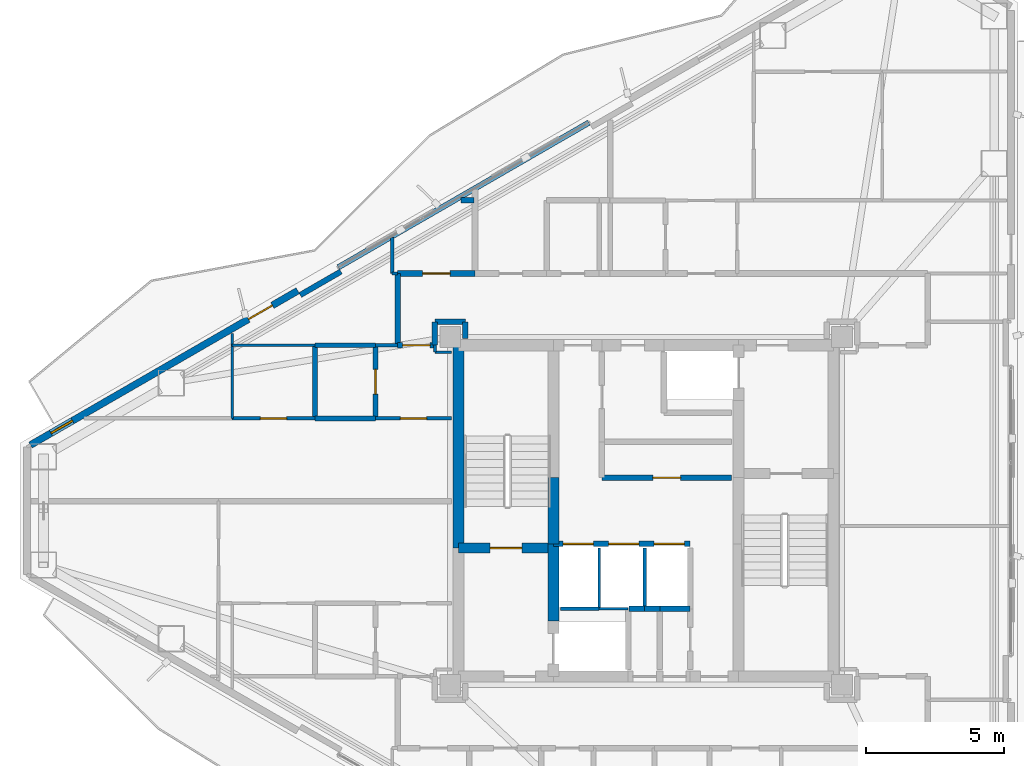
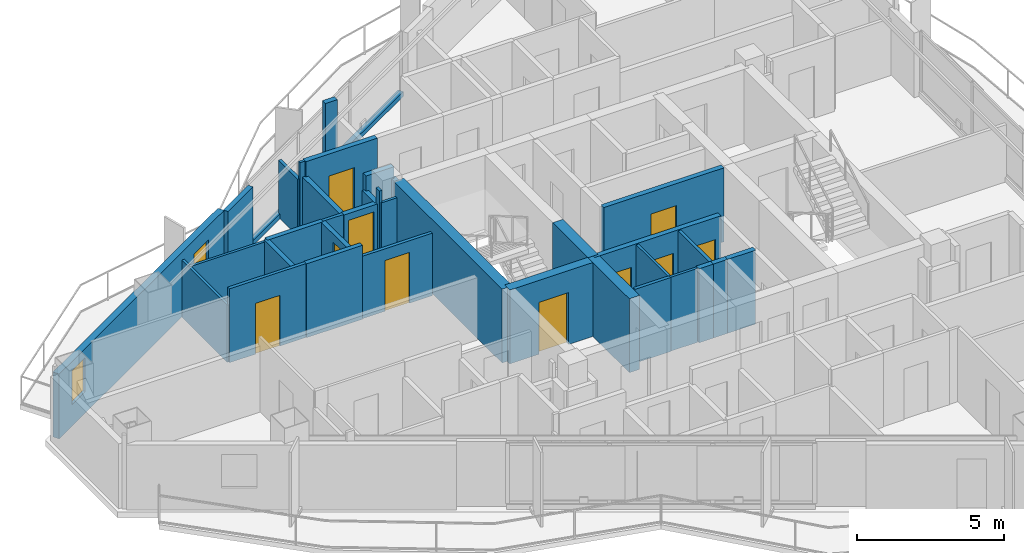
# One storey, part 14 of 19: 36 walls, 11 doors, 1 window, 12 openings.
"""IFC4 building model written with IfcOpenShell, lengths in metres."""

from ifc_helpers import new_model, si_unit, direction, frame, frame_2d, origin, place, context, subcontext, project, spatial, rectangle, extrude, material, layer, layer_set, type_object, element, fill, save


model = new_model("IFC4")

# Units and contexts
model_context = context("Model", 3, precision=1e-05, world=origin(), true_north=direction((0.0, 1.0)))
body_context = subcontext(model_context, "Body", "Model", "MODEL_VIEW")
ifc_project = project(units=[si_unit("LENGTHUNIT", "METRE"), si_unit("AREAUNIT", "SQUARE_METRE"), si_unit("VOLUMEUNIT", "CUBIC_METRE"), si_unit("PLANEANGLEUNIT", "RADIAN"), si_unit("MASSUNIT", "GRAM", prefix="KILO")], contexts=[model_context])

# Site, building, storey
site_placement = place(None, origin())
site = spatial("IfcSite", under=ifc_project, at=site_placement, CompositionType="ELEMENT")
building_placement = place(site_placement, origin())
building = spatial("IfcBuilding", under=site, at=building_placement, Name="Mersakhor Tower and Convention Hall", CompositionType="ELEMENT")
storey_placement = place(building_placement, frame((0.0, 0.0, 144.300048828125)))
storey = spatial("IfcBuildingStorey", under=building, at=storey_placement, Name="L40", CompositionType="ELEMENT", Elevation=144.300048828125)

# Wall, openings, door, window
ifc_material_1 = material(Name="Precast concrete C40/50", Category="concrete")
ifc_layer_1 = layer(ifc_material_1, 0.25)
ifc_layer_set_1 = layer_set([ifc_layer_1], Name="Precast concrete C40/50")
wall_type_1 = type_object("IfcWallType", Name="WL-EXT-250", PredefinedType="SOLIDWALL", material=ifc_layer_set_1)
wall_1_placement = place(storey_placement, frame((6.690185546875, 29.1337890625, 0.0), z_axis=(0.0, 0.0, 1.0), x_axis=(0.866027848477, 0.499995765644, 0.0)))
wall_1 = element("IfcWall", 1, at=wall_1_placement, inside=storey, type_object=wall_type_1, Name="L40 Exterior Facade Wall F1-B1", PredefinedType="SOLIDWALL", context=body_context, shape_type="SweptSolid", body=[
    extrude(rectangle(XDim=11.18603515625, YDim=0.25, at=frame_2d((5.593017578125, 0.0))), origin(), (0.0, 0.0, 1.0), 2.679931640625),
])
opening_1_placement = place(wall_1_placement, frame((9.1220703125, 0.0, 0.0)))
opening_1 = element("IfcOpeningElement", 2, at=opening_1_placement, cuts=wall_1, Name="Opening BD-01", PredefinedType="OPENING", context=body_context, shape_type="SweptSolid", body=[
    extrude(rectangle(XDim=1.0, YDim=2.10009765625, at=frame_2d((0.5, 1.050048828125))), frame((0.0, 0.135009765625, 0.0), z_axis=(0.0, -1.0, 0.0), x_axis=(1.0, 0.0, 0.0)), (0.0, 0.0, 1.0), 0.27001953125),
])
opening_2_placement = place(wall_1_placement, frame((0.860107421875, 0.0, 0.89990234375)))
opening_2 = element("IfcOpeningElement", 3, at=opening_2_placement, cuts=wall_1, Name="Opening W-06", PredefinedType="OPENING", context=body_context, shape_type="SweptSolid", body=[
    extrude(rectangle(XDim=0.89990234375, YDim=1.39990234375, at=frame_2d((0.449951171875, 0.699951171875))), frame((0.0, 0.135009765625, 0.0), z_axis=(0.0, -1.0, 0.0), x_axis=(1.0, 0.0, 0.0)), (0.0, 0.0, 1.0), 0.27001953125),
])
ifc_material_2 = material(Name="Thermally broken dark aluminium and safety glass", Category="aluminium")
door_type_1 = type_object("IfcDoorType", Name="DR-BAL-100x210", OperationType="NOTDEFINED", PredefinedType="DOOR", material=ifc_material_2)
door_1_placement = place(opening_1_placement, origin())
door_1 = element("IfcDoor", 4, at=door_1_placement, inside=storey, type_object=door_type_1, Name="L40 Balcony Terrace Door F1-B1", OperationType="SINGLE_SWING_LEFT", OverallHeight=2.10009765625, OverallWidth=1.0, PredefinedType="DOOR", context=body_context, shape_type="SweptSolid", body=[
    extrude(rectangle(XDim=1.0, YDim=2.10009765625, at=frame_2d((0.5, 1.050048828125))), frame((0.0, 0.02490234375, 0.0), z_axis=(0.0, -1.0, 0.0), x_axis=(1.0, 0.0, 0.0)), (0.0, 0.0, 1.0), 0.050048828125),
])
fill(opening_1, door_1)
ifc_material_3 = material(Name="Dark solar low-E glazed aluminium window", Category="aluminium")
window_type = type_object("IfcWindowType", Name="WN-STD-090x140", PartitioningType="SINGLE_PANEL", PredefinedType="WINDOW", material=ifc_material_3)
window_placement = place(opening_2_placement, origin())
window = element("IfcWindow", 5, at=window_placement, inside=storey, type_object=window_type, Name="L40 Bedroom Facade Window F1-B1-1", OverallHeight=1.39990234375, OverallWidth=0.89990234375, PartitioningType="SINGLE_PANEL", PredefinedType="WINDOW", context=body_context, shape_type="SweptSolid", body=[
    extrude(rectangle(XDim=0.89990234375, YDim=1.39990234375, at=frame_2d((0.449951171875, 0.699951171875))), frame((0.0, 0.030029296875, 0.0), z_axis=(0.0, -1.0, 0.0), x_axis=(1.0, 0.0, 0.0)), (0.0, 0.0, 1.0), 0.06005859375),
])
fill(opening_2, window)

# Walls
ifc_material_4 = material(Name="Precast concrete C40/50", Category="concrete")
ifc_layer_2 = layer(ifc_material_4, 0.199951171875)
ifc_layer_set_2 = layer_set([ifc_layer_2], Name="Precast concrete C40/50")
wall_type_2 = type_object("IfcWallType", Name="WL-PAR-200", PredefinedType="PARAPET", material=ifc_layer_set_2)
wall_2_placement = place(storey_placement, frame((17.849853515625, 35.57666015625, 0.0), z_axis=(0.0, 0.0, 1.0), x_axis=(0.866026619769, 0.499997893847, 0.0)))
element("IfcWall", 6, at=wall_2_placement, inside=storey, type_object=wall_type_2, Name="L40 Curtain Wall Upstand Sill F1-B2", PredefinedType="PARAPET", context=body_context, shape_type="SweptSolid", body=[
    extrude(rectangle(XDim=10.48583984375, YDim=0.199951171875, at=frame_2d((5.242919921875, 0.0))), origin(), (0.0, 0.0, 1.0), 0.199951171875),
])
wall_3_placement = place(storey_placement, frame((16.467529296875, 34.57080078125, 0.0), z_axis=(0.0, 0.0, 1.0), x_axis=(0.865989465428, 0.500062241894, 0.0)))
element("IfcWall", 7, at=wall_3_placement, inside=storey, type_object=wall_type_2, Name="L40 Column Pier Cladding Wall F1-C1", PredefinedType="PARAPET", context=body_context, shape_type="SweptSolid", body=[
    extrude(rectangle(XDim=1.699951171875, YDim=0.199951171875, at=frame_2d((0.85009765625, 0.0))), origin(), (0.0, 0.0, 1.0), 2.679931640625),
])

# Wall, opening, door
ifc_material_5 = material(Name="Moisture-resistant acoustic drywall studwork", Category="other")
ifc_layer_3 = layer(ifc_material_5, 0.175048828125)
ifc_layer_set_3 = layer_set([ifc_layer_3], Name="Moisture-resistant acoustic drywall studwork")
wall_type_3 = type_object("IfcWallType", Name="WL-PLM-175", PredefinedType="PLUMBINGWALL", material=ifc_layer_set_3)
wall_4_placement = place(storey_placement, frame((19.199951171875, 30.10009765625, 0.0), z_axis=(0.0, 0.0, 1.0), x_axis=(0.0, 1.0, 0.0)))
wall_4 = element("IfcWall", 8, at=wall_4_placement, inside=storey, type_object=wall_type_3, Name="L40 Interior Partition Wall P-060", PredefinedType="PLUMBINGWALL", context=body_context, shape_type="SweptSolid", body=[
    extrude(rectangle(XDim=2.64990234375, YDim=0.175048828125, at=frame_2d((1.324951171875, 0.0))), origin(), (0.0, 0.0, 1.0), 2.432861328125),
])
opening_3_placement = place(wall_4_placement, frame((0.875, 0.0, 0.0)))
opening_3 = element("IfcOpeningElement", 9, at=opening_3_placement, cuts=wall_4, Name="Opening WD-01", PredefinedType="OPENING", context=body_context, shape_type="SweptSolid", body=[
    extrude(rectangle(XDim=0.89990234375, YDim=2.10009765625, at=frame_2d((0.449951171875, 1.050048828125))), frame((0.0, 0.097412109375, 0.0), z_axis=(0.0, -1.0, 0.0), x_axis=(1.0, 0.0, 0.0)), (0.0, 0.0, 1.0), 0.195068359375),
])
ifc_material_6 = material(Name="Solid-core hardwood leaf in painted steel frame", Category="steel")
door_type_2 = type_object("IfcDoorType", Name="DR-INT-WET-090x210", OperationType="NOTDEFINED", PredefinedType="DOOR", material=ifc_material_6)
door_2_placement = place(opening_3_placement, origin())
door_2 = element("IfcDoor", 10, at=door_2_placement, inside=storey, type_object=door_type_2, Name="L40 L40 Flat W5 Apartment Hall to L40 Flat W5 Bathroom Door", OperationType="SINGLE_SWING_RIGHT", OverallHeight=2.10009765625, OverallWidth=0.89990234375, PredefinedType="DOOR", context=body_context, shape_type="SweptSolid", body=[
    extrude(rectangle(XDim=0.89990234375, YDim=2.10009765625, at=frame_2d((0.449951171875, 1.050048828125))), frame((0.0, 0.02490234375, 0.0), z_axis=(0.0, -1.0, 0.0), x_axis=(1.0, 0.0, 0.0)), (0.0, 0.0, 1.0), 0.050048828125),
])
fill(opening_3, door_2)

# Walls
wall_5_placement = place(storey_placement, frame((17.0, 32.75, 0.0), z_axis=(0.0, 0.0, 1.0), x_axis=(1.0, 0.0, 0.0)))
element("IfcWall", 11, at=wall_5_placement, inside=storey, type_object=wall_type_3, Name="L40 Interior Partition Wall P-085", PredefinedType="PLUMBINGWALL", context=body_context, shape_type="SweptSolid", body=[
    extrude(rectangle(XDim=2.199951171875, YDim=0.175048828125, at=frame_2d((1.10009765625, 0.0))), origin(), (0.0, 0.0, 1.0), 2.432861328125),
])
wall_6_placement = place(storey_placement, frame((19.199951171875, 30.10009765625, 0.0), z_axis=(0.0, 0.0, 1.0), x_axis=(-1.0, 0.0, 0.0)))
element("IfcWall", 12, at=wall_6_placement, inside=storey, type_object=wall_type_3, Name="L40 Interior Partition Wall P-086", PredefinedType="PLUMBINGWALL", context=body_context, shape_type="SweptSolid", body=[
    extrude(rectangle(XDim=2.199951171875, YDim=0.175048828125, at=frame_2d((1.10009765625, 0.0))), origin(), (0.0, 0.0, 1.0), 3.06005859375),
])
wall_7_placement = place(storey_placement, frame((17.0, 30.10009765625, 0.0), z_axis=(0.0, 0.0, 1.0), x_axis=(0.0, 1.0, 0.0)))
element("IfcWall", 13, at=wall_7_placement, inside=storey, type_object=wall_type_3, Name="L40 Interior Partition Wall P-087", PredefinedType="PLUMBINGWALL", context=body_context, shape_type="SweptSolid", body=[
    extrude(rectangle(XDim=2.64990234375, YDim=0.175048828125, at=frame_2d((1.324951171875, 0.0))), origin(), (0.0, 0.0, 1.0), 2.432861328125),
])
ifc_material_7 = material(Name="Lightweight gypsum partition", Category="other")
ifc_layer_4 = layer(ifc_material_7, 0.10009765625)
ifc_layer_set_4 = layer_set([ifc_layer_4], Name="Lightweight gypsum partition")
wall_type_4 = type_object("IfcWallType", Name="WL-PRT-100", PredefinedType="PARTITIONING", material=ifc_layer_set_4)
wall_8_placement = place(storey_placement, frame((27.300048828125, 23.199951171875, 0.0), z_axis=(0.0, 0.0, 1.0), x_axis=(1.0, 0.0, 0.0)))
element("IfcWall", 14, at=wall_8_placement, inside=storey, type_object=wall_type_4, Name="L40 Interior Partition Wall P-002", PredefinedType="PARTITIONING", context=body_context, shape_type="SweptSolid", body=[
    extrude(rectangle(XDim=1.050048828125, YDim=0.10009765625, at=frame_2d((0.52490234375, 0.0))), origin(), (0.0, 0.0, 1.0), 3.06005859375),
])
wall_9_placement = place(storey_placement, frame((27.300048828125, 25.39990234375, 0.0), z_axis=(0.0, 0.0, 1.0), x_axis=(0.0, -1.0, 0.0)))
element("IfcWall", 15, at=wall_9_placement, inside=storey, type_object=wall_type_4, Name="L40 Interior Partition Wall P-006", PredefinedType="PARTITIONING", context=body_context, shape_type="SweptSolid", body=[
    extrude(rectangle(XDim=2.199951171875, YDim=0.10009765625, at=frame_2d((1.10009765625, 0.0))), origin(), (0.0, 0.0, 1.0), 3.06005859375),
])
wall_10_placement = place(storey_placement, frame((21.35009765625, 32.5, 0.0), z_axis=(0.0, 0.0, 1.0), x_axis=(1.0, 0.0, 0.0)))
element("IfcWall", 16, at=wall_10_placement, inside=storey, type_object=wall_type_4, Name="L40 Interior Partition Wall P-058", PredefinedType="PARTITIONING", context=body_context, shape_type="SweptSolid", body=[
    extrude(rectangle(XDim=0.599853515625, YDim=0.10009765625, at=frame_2d((0.2998046875, 0.0))), origin(), (0.0, 0.0, 1.0), 2.5849609375),
])
wall_11_placement = place(storey_placement, frame((21.35009765625, 32.75, 0.0), z_axis=(0.0, 0.0, 1.0), x_axis=(0.0, -1.0, 0.0)))
element("IfcWall", 17, at=wall_11_placement, inside=storey, type_object=wall_type_4, Name="L40 Interior Partition Wall P-062", PredefinedType="PARTITIONING", context=body_context, shape_type="SweptSolid", body=[
    extrude(rectangle(XDim=0.25, YDim=0.10009765625, at=frame_2d((0.125, 0.0))), origin(), (0.0, 0.0, 1.0), 3.06005859375),
])
wall_12_placement = place(storey_placement, frame((14.0, 32.75, 0.0), z_axis=(0.0, 0.0, 1.0), x_axis=(1.0, 0.0, 0.0)))
element("IfcWall", 18, at=wall_12_placement, inside=storey, type_object=wall_type_4, Name="L40 Interior Partition Wall P-088", PredefinedType="PARTITIONING", context=body_context, shape_type="SweptSolid", body=[
    extrude(rectangle(XDim=3.0, YDim=0.10009765625, at=frame_2d((1.5, 0.0))), origin(), (0.0, 0.0, 1.0), 2.364990234375),
])
wall_13_placement = place(storey_placement, frame((14.0, 30.10009765625, 0.0), z_axis=(0.0, 0.0, 1.0), x_axis=(0.0, 1.0, 0.0)))
element("IfcWall", 19, at=wall_13_placement, inside=storey, type_object=wall_type_4, Name="L40 Interior Partition Wall P-090", PredefinedType="PARTITIONING", context=body_context, shape_type="SweptSolid", body=[
    extrude(rectangle(XDim=3.081787109375, YDim=0.10009765625, at=frame_2d((1.541015625, 0.0))), origin(), (0.0, 0.0, 1.0), 2.364990234375),
])
wall_14_placement = place(storey_placement, frame((20.0, 35.35009765625, 0.0), z_axis=(0.0, 0.0, 1.0), x_axis=(-1.0, 0.0, 0.0)))
element("IfcWall", 20, at=wall_14_placement, inside=storey, type_object=wall_type_4, Name="L40 Interior Partition Wall P-112", PredefinedType="PARTITIONING", context=body_context, shape_type="SweptSolid", body=[
    extrude(rectangle(XDim=0.199951171875, YDim=0.10009765625, at=frame_2d((0.10009765625, 0.0))), origin(), (0.0, 0.0, 1.0), 3.06005859375),
])
ifc_material_8 = material(Name="Gypsum board acoustic partition", Category="other")
ifc_layer_5 = layer(ifc_material_8, 0.125)
ifc_layer_set_5 = layer_set([ifc_layer_5], Name="Gypsum board acoustic partition")
wall_type_5 = type_object("IfcWallType", Name="WL-PRT-125", PredefinedType="PARTITIONING", material=ifc_layer_set_5)
wall_15_placement = place(storey_placement, frame((25.89990234375, 23.199951171875, 0.0), z_axis=(0.0, 0.0, 1.0), x_axis=(1.0, 0.0, 0.0)))
element("IfcWall", 21, at=wall_15_placement, inside=storey, type_object=wall_type_5, Name="L40 Interior Partition Wall P-001", PredefinedType="PARTITIONING", context=body_context, shape_type="SweptSolid", body=[
    extrude(rectangle(XDim=1.400146484375, YDim=0.125, at=frame_2d((0.7001953125, 0.0))), origin(), (0.0, 0.0, 1.0), 3.06005859375),
])
wall_16_placement = place(storey_placement, frame((28.949951171875, 25.39990234375, 0.0), z_axis=(0.0, 0.0, 1.0), x_axis=(0.0, -1.0, 0.0)))
element("IfcWall", 22, at=wall_16_placement, inside=storey, type_object=wall_type_5, Name="L40 Interior Partition Wall P-007", PredefinedType="PARTITIONING", context=body_context, shape_type="SweptSolid", body=[
    extrude(rectangle(XDim=2.199951171875, YDim=0.125, at=frame_2d((1.10009765625, 0.0))), origin(), (0.0, 0.0, 1.0), 3.06005859375),
])

# Wall, opening, door
wall_17_placement = place(storey_placement, frame((21.949951171875, 30.10009765625, 0.0), z_axis=(0.0, 0.0, 1.0), x_axis=(-1.0, 0.0, 0.0)))
wall_17 = element("IfcWall", 23, at=wall_17_placement, inside=storey, type_object=wall_type_5, Name="L40 Interior Partition Wall P-059", PredefinedType="PARTITIONING", context=body_context, shape_type="SweptSolid", body=[
    extrude(rectangle(XDim=2.75, YDim=0.125, at=frame_2d((1.375, 0.0))), origin(), (0.0, 0.0, 1.0), 2.5849609375),
])
opening_4_placement = place(wall_17_placement, frame((0.89990234375, 0.0, 0.0)))
opening_4 = element("IfcOpeningElement", 24, at=opening_4_placement, cuts=wall_17, Name="Opening RD-01", PredefinedType="OPENING", context=body_context, shape_type="SweptSolid", body=[
    extrude(rectangle(XDim=0.949951171875, YDim=2.10009765625, at=frame_2d((0.47509765625, 1.050048828125))), frame((0.0, 0.072509765625, 0.0), z_axis=(0.0, -1.0, 0.0), x_axis=(1.0, 0.0, 0.0)), (0.0, 0.0, 1.0), 0.14501953125),
])
ifc_material_9 = material(Name="Solid-core hardwood leaf in painted steel frame", Category="steel")
door_type_3 = type_object("IfcDoorType", Name="DR-INT-RM-095x210", OperationType="NOTDEFINED", PredefinedType="DOOR", material=ifc_material_9)
door_3_placement = place(opening_4_placement, origin())
door_3 = element("IfcDoor", 25, at=door_3_placement, inside=storey, type_object=door_type_3, Name="L40 L40 Flat W5 Apartment Hall to L40 Flat W5 Studio Living and Sleeping Room Door", OperationType="SINGLE_SWING_LEFT", OverallHeight=2.10009765625, OverallWidth=0.949951171875, PredefinedType="DOOR", context=body_context, shape_type="SweptSolid", body=[
    extrude(rectangle(XDim=0.949951171875, YDim=2.10009765625, at=frame_2d((0.47509765625, 1.050048828125))), frame((0.0, 0.02490234375, 0.0), z_axis=(0.0, -1.0, 0.0), x_axis=(1.0, 0.0, 0.0)), (0.0, 0.0, 1.0), 0.050048828125),
])
fill(opening_4, door_3)

# Wall
wall_18_placement = place(storey_placement, frame((19.199951171875, 32.75, 0.0), z_axis=(0.0, 0.0, 1.0), x_axis=(1.0, 0.0, 0.0)))
element("IfcWall", 26, at=wall_18_placement, inside=storey, type_object=wall_type_5, Name="L40 Interior Partition Wall P-061", PredefinedType="PARTITIONING", context=body_context, shape_type="SweptSolid", body=[
    extrude(rectangle(XDim=0.800048828125, YDim=0.125, at=frame_2d((0.39990234375, 0.0))), origin(), (0.0, 0.0, 1.0), 2.432861328125),
])

# Wall, opening, door
wall_19_placement = place(storey_placement, frame((17.0, 30.10009765625, 0.0), z_axis=(0.0, 0.0, 1.0), x_axis=(-1.0, 0.0, 0.0)))
wall_19 = element("IfcWall", 27, at=wall_19_placement, inside=storey, type_object=wall_type_5, Name="L40 Interior Partition Wall P-089", PredefinedType="PARTITIONING", context=body_context, shape_type="SweptSolid", body=[
    extrude(rectangle(XDim=3.0, YDim=0.125, at=frame_2d((1.5, 0.0))), origin(), (0.0, 0.0, 1.0), 3.06005859375),
])
opening_5_placement = place(wall_19_placement, frame((1.02490234375, 0.0, 0.0)))
opening_5 = element("IfcOpeningElement", 28, at=opening_5_placement, cuts=wall_19, Name="Opening RD-01", PredefinedType="OPENING", context=body_context, shape_type="SweptSolid", body=[
    extrude(rectangle(XDim=0.949951171875, YDim=2.10009765625, at=frame_2d((0.47509765625, 1.050048828125))), frame((0.0, 0.072509765625, 0.0), z_axis=(0.0, -1.0, 0.0), x_axis=(1.0, 0.0, 0.0)), (0.0, 0.0, 1.0), 0.14501953125),
])
door_4_placement = place(opening_5_placement, origin())
door_4 = element("IfcDoor", 29, at=door_4_placement, inside=storey, type_object=door_type_3, Name="L40 L40 Flat W5 Kitchen to L40 Flat W5 Studio Living and Sleeping Room Door", OperationType="SINGLE_SWING_LEFT", OverallHeight=2.10009765625, OverallWidth=0.949951171875, PredefinedType="DOOR", context=body_context, shape_type="SweptSolid", body=[
    extrude(rectangle(XDim=0.949951171875, YDim=2.10009765625, at=frame_2d((0.47509765625, 1.050048828125))), frame((0.0, 0.02490234375, 0.0), z_axis=(0.0, -1.0, 0.0), x_axis=(1.0, 0.0, 0.0)), (0.0, 0.0, 1.0), 0.050048828125),
])
fill(opening_5, door_4)

# Wall
wall_20_placement = place(storey_placement, frame((19.800048828125, 35.35009765625, 0.0), z_axis=(0.0, 0.0, 1.0), x_axis=(0.0, 1.0, 0.0)))
element("IfcWall", 30, at=wall_20_placement, inside=storey, type_object=wall_type_5, Name="L40 Interior Partition Wall P-113", PredefinedType="PARTITIONING", context=body_context, shape_type="SweptSolid", body=[
    extrude(rectangle(XDim=1.30859375, YDim=0.125, at=frame_2d((0.654296875, 0.0))), origin(), (0.0, 0.0, 1.0), 2.364990234375),
])

# Wall, openings, doors
ifc_material_10 = material(Name="Acoustic concrete blockwork and gypsum board", Category="masonry")
ifc_layer_6 = layer(ifc_material_10, 0.199951171875)
ifc_layer_set_6 = layer_set([ifc_layer_6], Name="Acoustic concrete blockwork and gypsum board")
wall_type_6 = type_object("IfcWallType", Name="WL-PRT-200", PredefinedType="PARTITIONING", material=ifc_layer_set_6)
wall_21_placement = place(storey_placement, frame((25.64990234375, 25.550048828125, 0.0), z_axis=(0.0, 0.0, 1.0), x_axis=(1.0, 0.0, 0.0)))
wall_21 = element("IfcWall", 31, at=wall_21_placement, inside=storey, type_object=wall_type_6, Name="L40 High-Rise Lift Bank Front Wall", PredefinedType="PARTITIONING", context=body_context, shape_type="SweptSolid", body=[
    extrude(rectangle(XDim=4.9501953125, YDim=0.199951171875, at=frame_2d((2.47509765625, 0.0))), origin(), (0.0, 0.0, 1.0), 3.06005859375),
])
opening_6_placement = place(wall_21_placement, frame((0.340087890625, 0.0, 0.0)))
opening_6 = element("IfcOpeningElement", 32, at=opening_6_placement, cuts=wall_21, Name="Opening LD-P4", PredefinedType="OPENING", context=body_context, shape_type="SweptSolid", body=[
    extrude(rectangle(XDim=1.10009765625, YDim=2.14990234375, at=frame_2d((0.550048828125, 1.074951171875))), frame((0.0, 0.10986328125, 0.0), z_axis=(0.0, -1.0, 0.0), x_axis=(1.0, 0.0, 0.0)), (0.0, 0.0, 1.0), 0.219970703125),
])
opening_7_placement = place(wall_21_placement, frame((1.989990234375, 0.0, 0.0)))
opening_7 = element("IfcOpeningElement", 33, at=opening_7_placement, cuts=wall_21, Name="Opening LD-P5", PredefinedType="OPENING", context=body_context, shape_type="SweptSolid", body=[
    extrude(rectangle(XDim=1.10009765625, YDim=2.14990234375, at=frame_2d((0.550048828125, 1.074951171875))), frame((0.0, 0.10986328125, 0.0), z_axis=(0.0, -1.0, 0.0), x_axis=(1.0, 0.0, 0.0)), (0.0, 0.0, 1.0), 0.219970703125),
])
opening_8_placement = place(wall_21_placement, frame((3.639892578125, 0.0, 0.0)))
opening_8 = element("IfcOpeningElement", 34, at=opening_8_placement, cuts=wall_21, Name="Opening LD-P6", PredefinedType="OPENING", context=body_context, shape_type="SweptSolid", body=[
    extrude(rectangle(XDim=1.10009765625, YDim=2.14990234375, at=frame_2d((0.550048828125, 1.074951171875))), frame((0.0, 0.10986328125, 0.0), z_axis=(0.0, -1.0, 0.0), x_axis=(1.0, 0.0, 0.0)), (0.0, 0.0, 1.0), 0.219970703125),
])
ifc_material_11 = material(Name="Fire-rated brushed stainless steel sliding landing door", Category="steel")
door_type_4 = type_object("IfcDoorType", Name="DR-LIFT-SLD-110x215", OperationType="NOTDEFINED", PredefinedType="DOOR", material=ifc_material_11)
door_5_placement = place(opening_6_placement, origin())
door_5 = element("IfcDoor", 35, at=door_5_placement, inside=storey, type_object=door_type_4, Name="L40 Lift Landing Door LD-P4", OperationType="SLIDING_TO_LEFT", OverallHeight=2.14990234375, OverallWidth=1.10009765625, PredefinedType="DOOR", context=body_context, shape_type="SweptSolid", body=[
    extrude(rectangle(XDim=1.10009765625, YDim=2.14990234375, at=frame_2d((0.550048828125, 1.074951171875))), frame((0.0, 0.02490234375, 0.0), z_axis=(0.0, -1.0, 0.0), x_axis=(1.0, 0.0, 0.0)), (0.0, 0.0, 1.0), 0.050048828125),
])
fill(opening_6, door_5)
door_6_placement = place(opening_7_placement, origin())
door_6 = element("IfcDoor", 36, at=door_6_placement, inside=storey, type_object=door_type_4, Name="L40 Lift Landing Door LD-P5", OperationType="SLIDING_TO_LEFT", OverallHeight=2.14990234375, OverallWidth=1.10009765625, PredefinedType="DOOR", context=body_context, shape_type="SweptSolid", body=[
    extrude(rectangle(XDim=1.10009765625, YDim=2.14990234375, at=frame_2d((0.550048828125, 1.074951171875))), frame((0.0, 0.02490234375, 0.0), z_axis=(0.0, -1.0, 0.0), x_axis=(1.0, 0.0, 0.0)), (0.0, 0.0, 1.0), 0.050048828125),
])
fill(opening_7, door_6)
door_7_placement = place(opening_8_placement, origin())
door_7 = element("IfcDoor", 37, at=door_7_placement, inside=storey, type_object=door_type_4, Name="L40 Lift Landing Door LD-P6", OperationType="SLIDING_TO_LEFT", OverallHeight=2.14990234375, OverallWidth=1.10009765625, PredefinedType="DOOR", context=body_context, shape_type="SweptSolid", body=[
    extrude(rectangle(XDim=1.10009765625, YDim=2.14990234375, at=frame_2d((0.550048828125, 1.074951171875))), frame((0.0, 0.02490234375, 0.0), z_axis=(0.0, -1.0, 0.0), x_axis=(1.0, 0.0, 0.0)), (0.0, 0.0, 1.0), 0.050048828125),
])
fill(opening_8, door_7)

# Walls
wall_22_placement = place(storey_placement, frame((28.949951171875, 23.199951171875, 0.0), z_axis=(0.0, 0.0, 1.0), x_axis=(-1.0, 0.0, 0.0)))
element("IfcWall", 38, at=wall_22_placement, inside=storey, type_object=wall_type_6, Name="L40 Interior Partition Wall P-008", PredefinedType="PARTITIONING", context=body_context, shape_type="SweptSolid", body=[
    extrude(rectangle(XDim=0.570068359375, YDim=0.199951171875, at=frame_2d((0.28515625, 0.0))), origin(), (0.0, 0.0, 1.0), 3.06005859375),
])
wall_23_placement = place(storey_placement, frame((30.60009765625, 23.199951171875, 0.0), z_axis=(0.0, 0.0, 1.0), x_axis=(-1.0, 0.0, 0.0)))
element("IfcWall", 39, at=wall_23_placement, inside=storey, type_object=wall_type_6, Name="L40 Interior Partition Wall P-010", PredefinedType="PARTITIONING", context=body_context, shape_type="SweptSolid", body=[
    extrude(rectangle(XDim=1.10009765625, YDim=0.199951171875, at=frame_2d((0.550048828125, 0.0))), origin(), (0.0, 0.0, 1.0), 3.06005859375),
])
wall_24_placement = place(storey_placement, frame((29.5, 23.199951171875, 0.0), z_axis=(0.0, 0.0, 1.0), x_axis=(-1.0, 0.0, 0.0)))
element("IfcWall", 40, at=wall_24_placement, inside=storey, type_object=wall_type_6, Name="L40 Interior Partition Wall P-011", PredefinedType="PARTITIONING", context=body_context, shape_type="SweptSolid", body=[
    extrude(rectangle(XDim=0.550048828125, YDim=0.199951171875, at=frame_2d((0.27490234375, 0.0))), origin(), (0.0, 0.0, 1.0), 3.06005859375),
])

# Wall, opening, door
wall_25_placement = place(storey_placement, frame((27.39990234375, 27.949951171875, 0.0), z_axis=(0.0, 0.0, 1.0), x_axis=(1.0, 0.0, 0.0)))
wall_25 = element("IfcWall", 41, at=wall_25_placement, inside=storey, type_object=wall_type_6, Name="L40 Interior Partition Wall P-015", PredefinedType="PARTITIONING", context=body_context, shape_type="SweptSolid", body=[
    extrude(rectangle(XDim=4.7001953125, YDim=0.199951171875, at=frame_2d((2.35009765625, 0.0))), origin(), (0.0, 0.0, 1.0), 3.06005859375),
])
opening_9_placement = place(wall_25_placement, frame((1.85009765625, 0.0, 0.0)))
opening_9 = element("IfcOpeningElement", 42, at=opening_9_placement, cuts=wall_25, Name="Opening FD-01", PredefinedType="OPENING", context=body_context, shape_type="SweptSolid", body=[
    extrude(rectangle(XDim=1.0, YDim=2.14990234375, at=frame_2d((0.5, 1.074951171875))), frame((0.0, 0.10986328125, 0.0), z_axis=(0.0, -1.0, 0.0), x_axis=(1.0, 0.0, 0.0)), (0.0, 0.0, 1.0), 0.219970703125),
])
ifc_material_12 = material(Name="Fire-rated hardwood leaf and painted steel frame", Category="steel")
door_type_5 = type_object("IfcDoorType", Name="DR-INT-FLT-100x215", OperationType="NOTDEFINED", PredefinedType="DOOR", material=ifc_material_12)
door_8_placement = place(opening_9_placement, origin())
door_8 = element("IfcDoor", 43, at=door_8_placement, inside=storey, type_object=door_type_5, Name="L40 Central Passenger Lift Lobby to Household Laundry Room Door", OperationType="SINGLE_SWING_LEFT", OverallHeight=2.14990234375, OverallWidth=1.0, PredefinedType="DOOR", context=body_context, shape_type="SweptSolid", body=[
    extrude(rectangle(XDim=1.0, YDim=2.14990234375, at=frame_2d((0.5, 1.074951171875))), frame((0.0, 0.02490234375, 0.0), z_axis=(0.0, -1.0, 0.0), x_axis=(1.0, 0.0, 0.0)), (0.0, 0.0, 1.0), 0.050048828125),
])
fill(opening_9, door_8)

# Walls
wall_26_placement = place(storey_placement, frame((22.449951171875, 33.0, 0.0), z_axis=(0.0, 0.0, 1.0), x_axis=(0.0, 1.0, 0.0)))
element("IfcWall", 44, at=wall_26_placement, inside=storey, type_object=wall_type_6, Name="L40 Interior Partition Wall P-017", PredefinedType="PARTITIONING", context=body_context, shape_type="SweptSolid", body=[
    extrude(rectangle(XDim=0.60009765625, YDim=0.199951171875, at=frame_2d((0.300048828125, 0.0))), origin(), (0.0, 0.0, 1.0), 2.5849609375),
])
wall_27_placement = place(storey_placement, frame((22.449951171875, 33.60009765625, 0.0), z_axis=(0.0, 0.0, 1.0), x_axis=(-1.0, 0.0, 0.0)))
element("IfcWall", 45, at=wall_27_placement, inside=storey, type_object=wall_type_6, Name="L40 Interior Partition Wall P-018", PredefinedType="PARTITIONING", context=body_context, shape_type="SweptSolid", body=[
    extrude(rectangle(XDim=1.099853515625, YDim=0.199951171875, at=frame_2d((0.5498046875, 0.0))), origin(), (0.0, 0.0, 1.0), 3.06005859375),
])
wall_28_placement = place(storey_placement, frame((21.35009765625, 33.60009765625, 0.0), z_axis=(0.0, 0.0, 1.0), x_axis=(0.0, -1.0, 0.0)))
element("IfcWall", 46, at=wall_28_placement, inside=storey, type_object=wall_type_6, Name="L40 Interior Partition Wall P-019", PredefinedType="PARTITIONING", context=body_context, shape_type="SweptSolid", body=[
    extrude(rectangle(XDim=0.85009765625, YDim=0.199951171875, at=frame_2d((0.425048828125, 0.0))), origin(), (0.0, 0.0, 1.0), 2.432861328125),
])

# Wall, opening, door
wall_29_placement = place(storey_placement, frame((21.35009765625, 32.75, 0.0), z_axis=(0.0, 0.0, 1.0), x_axis=(-1.0, 0.0, 0.0)))
wall_29 = element("IfcWall", 47, at=wall_29_placement, inside=storey, type_object=wall_type_6, Name="L40 Interior Partition Wall P-020", PredefinedType="PARTITIONING", context=body_context, shape_type="SweptSolid", body=[
    extrude(rectangle(XDim=1.35009765625, YDim=0.199951171875, at=frame_2d((0.675048828125, 0.0))), origin(), (0.0, 0.0, 1.0), 2.432861328125),
])
opening_10_placement = place(wall_29_placement, frame((0.175048828125, 0.0, 0.0)))
opening_10 = element("IfcOpeningElement", 48, at=opening_10_placement, cuts=wall_29, Name="Opening FD-01", PredefinedType="OPENING", context=body_context, shape_type="SweptSolid", body=[
    extrude(rectangle(XDim=1.0, YDim=2.14990234375, at=frame_2d((0.5, 1.074951171875))), frame((0.0, 0.10986328125, 0.0), z_axis=(0.0, -1.0, 0.0), x_axis=(1.0, 0.0, 0.0)), (0.0, 0.0, 1.0), 0.219970703125),
])
door_9_placement = place(opening_10_placement, origin())
door_9 = element("IfcDoor", 49, at=door_9_placement, inside=storey, type_object=door_type_5, Name="L40 Apartment Entrance Door (Residential North Gallery Corridor to L40 Flat W5 Apartment Hall)", OperationType="SINGLE_SWING_RIGHT", OverallHeight=2.14990234375, OverallWidth=1.0, PredefinedType="DOOR", context=body_context, shape_type="SweptSolid", body=[
    extrude(rectangle(XDim=1.0, YDim=2.14990234375, at=frame_2d((0.5, 1.074951171875))), frame((0.0, 0.02490234375, 0.0), z_axis=(0.0, -1.0, 0.0), x_axis=(1.0, 0.0, 0.0)), (0.0, 0.0, 1.0), 0.050048828125),
])
fill(opening_10, door_9)

# Wall
wall_30_placement = place(storey_placement, frame((20.0, 32.75, 0.0), z_axis=(0.0, 0.0, 1.0), x_axis=(0.0, 1.0, 0.0)))
element("IfcWall", 50, at=wall_30_placement, inside=storey, type_object=wall_type_6, Name="L40 Interior Partition Wall P-021", PredefinedType="PARTITIONING", context=body_context, shape_type="SweptSolid", body=[
    extrude(rectangle(XDim=2.60009765625, YDim=0.199951171875, at=frame_2d((1.300048828125, 0.0))), origin(), (0.0, 0.0, 1.0), 2.432861328125),
])

# Wall, opening, door
wall_31_placement = place(storey_placement, frame((20.0, 35.35009765625, 0.0), z_axis=(0.0, 0.0, 1.0), x_axis=(1.0, 0.0, 0.0)))
wall_31 = element("IfcWall", 51, at=wall_31_placement, inside=storey, type_object=wall_type_6, Name="L40 Interior Partition Wall P-022", PredefinedType="PARTITIONING", context=body_context, shape_type="SweptSolid", body=[
    extrude(rectangle(XDim=2.800048828125, YDim=0.199951171875, at=frame_2d((1.39990234375, 0.0))), origin(), (0.0, 0.0, 1.0), 3.06005859375),
])
opening_11_placement = place(wall_31_placement, frame((0.89990234375, 0.0, 0.0)))
opening_11 = element("IfcOpeningElement", 52, at=opening_11_placement, cuts=wall_31, Name="Opening FD-01", PredefinedType="OPENING", context=body_context, shape_type="SweptSolid", body=[
    extrude(rectangle(XDim=1.0, YDim=2.14990234375, at=frame_2d((0.5, 1.074951171875))), frame((0.0, 0.10986328125, 0.0), z_axis=(0.0, -1.0, 0.0), x_axis=(1.0, 0.0, 0.0)), (0.0, 0.0, 1.0), 0.219970703125),
])
door_10_placement = place(opening_11_placement, origin())
door_10 = element("IfcDoor", 53, at=door_10_placement, inside=storey, type_object=door_type_5, Name="L40 Residential North Gallery Corridor to L40 Floor Shared Tea Pantry 1-3 Door", OperationType="SINGLE_SWING_LEFT", OverallHeight=2.14990234375, OverallWidth=1.0, PredefinedType="DOOR", context=body_context, shape_type="SweptSolid", body=[
    extrude(rectangle(XDim=1.0, YDim=2.14990234375, at=frame_2d((0.5, 1.074951171875))), frame((0.0, 0.02490234375, 0.0), z_axis=(0.0, -1.0, 0.0), x_axis=(1.0, 0.0, 0.0)), (0.0, 0.0, 1.0), 0.050048828125),
])
fill(opening_11, door_10)

# Wall
wall_32_placement = place(storey_placement, frame((22.77001953125, 38.0, 0.0), z_axis=(0.0, 0.0, 1.0), x_axis=(-1.0, 0.0, 0.0)))
element("IfcWall", 54, at=wall_32_placement, inside=storey, type_object=wall_type_6, Name="L40 Interior Partition Wall P-111", PredefinedType="PARTITIONING", context=body_context, shape_type="SweptSolid", body=[
    extrude(rectangle(XDim=0.4736328125, YDim=0.199951171875, at=frame_2d((0.23681640625, 0.0))), origin(), (0.0, 0.0, 1.0), 3.06005859375),
])

# Wall, opening, door
ifc_material_13 = material(Name="Concrete C50/60", Category="concrete")
ifc_layer_7 = layer(ifc_material_13, 0.35009765625)
ifc_layer_set_7 = layer_set([ifc_layer_7], Name="Concrete C50/60")
wall_type_7 = type_object("IfcWallType", Name="WL-SHR-350", PredefinedType="SHEAR", material=ifc_layer_set_7)
wall_33_placement = place(storey_placement, frame((22.199951171875, 25.39990234375, 0.0), z_axis=(0.0, 0.0, 1.0), x_axis=(1.0, 0.0, 0.0)))
wall_33 = element("IfcWall", 55, at=wall_33_placement, inside=storey, type_object=wall_type_7, Name="L40 Core Wall CS-ST1-S", PredefinedType="SHEAR", context=body_context, shape_type="SweptSolid", body=[
    extrude(rectangle(XDim=3.449951171875, YDim=0.35009765625, at=frame_2d((1.72509765625, 0.0))), origin(), (0.0, 0.0, 1.0), 3.06005859375),
])
opening_12_placement = place(wall_33_placement, frame((1.14990234375, 0.0, 0.0)))
opening_12 = element("IfcOpeningElement", 56, at=opening_12_placement, cuts=wall_33, Name="Opening SD-01", PredefinedType="OPENING", context=body_context, shape_type="SweptSolid", body=[
    extrude(rectangle(XDim=1.14990234375, YDim=2.14990234375, at=frame_2d((0.574951171875, 1.074951171875))), frame((0.0, 0.18505859375, 0.0), z_axis=(0.0, -1.0, 0.0), x_axis=(1.0, 0.0, 0.0)), (0.0, 0.0, 1.0), 0.3701171875),
])
ifc_material_14 = material(Name="Fire-rated hardwood leaf and painted steel frame", Category="steel")
door_type_6 = type_object("IfcDoorType", Name="DR-INT-STAIR-115x215", OperationType="NOTDEFINED", PredefinedType="DOOR", material=ifc_material_14)
door_11_placement = place(opening_12_placement, origin())
door_11 = element("IfcDoor", 57, at=door_11_placement, inside=storey, type_object=door_type_6, Name="L40 Exit Stair ST-1 Enclosure Door", OperationType="SINGLE_SWING_LEFT", OverallHeight=2.14990234375, OverallWidth=1.14990234375, PredefinedType="DOOR", context=body_context, shape_type="SweptSolid", body=[
    extrude(rectangle(XDim=1.14990234375, YDim=2.14990234375, at=frame_2d((0.574951171875, 1.074951171875))), frame((0.0, 0.02490234375, 0.0), z_axis=(0.0, -1.0, 0.0), x_axis=(1.0, 0.0, 0.0)), (0.0, 0.0, 1.0), 0.050048828125),
])
fill(opening_12, door_11)

# Walls
ifc_material_15 = material(Name="Concrete C60/75", Category="concrete")
ifc_layer_8 = layer(ifc_material_15, 0.39990234375)
ifc_layer_set_8 = layer_set([ifc_layer_8], Name="Concrete C60/75")
wall_type_8 = type_object("IfcWallType", Name="WL-SHR-400", PredefinedType="SHEAR", material=ifc_layer_set_8)
wall_34_placement = place(storey_placement, frame((22.199951171875, 25.39990234375, 0.0), z_axis=(0.0, 0.0, 1.0), x_axis=(0.0, 1.0, 0.0)))
element("IfcWall", 58, at=wall_34_placement, inside=storey, type_object=wall_type_8, Name="L40 Core Wall CW-W2", PredefinedType="SHEAR", context=body_context, shape_type="SweptSolid", body=[
    extrude(rectangle(XDim=7.35009765625, YDim=0.39990234375, at=frame_2d((3.675048828125, 0.0))), origin(), (0.0, 0.0, 1.0), 3.06005859375),
])
wall_35_placement = place(storey_placement, frame((25.64990234375, 22.75, 0.0), z_axis=(0.0, 0.0, 1.0), x_axis=(0.0, 1.0, 0.0)))
element("IfcWall", 59, at=wall_35_placement, inside=storey, type_object=wall_type_8, Name="L40 Core Wall CS-W-MID", PredefinedType="SHEAR", context=body_context, shape_type="SweptSolid", body=[
    extrude(rectangle(XDim=2.800048828125, YDim=0.39990234375, at=frame_2d((1.39990234375, 0.0))), origin(), (0.0, 0.0, 1.0), 3.06005859375),
])
wall_36_placement = place(storey_placement, frame((25.64990234375, 25.550048828125, 0.0), z_axis=(0.0, 0.0, 1.0), x_axis=(0.0, 1.0, 0.0)))
element("IfcWall", 60, at=wall_36_placement, inside=storey, type_object=wall_type_8, Name="L40 Core Wall CS-W-LOB", PredefinedType="SHEAR", context=body_context, shape_type="SweptSolid", body=[
    extrude(rectangle(XDim=2.39990234375, YDim=0.39990234375, at=frame_2d((1.199951171875, 0.0))), origin(), (0.0, 0.0, 1.0), 3.06005859375),
])

save(model, "model.ifc")
